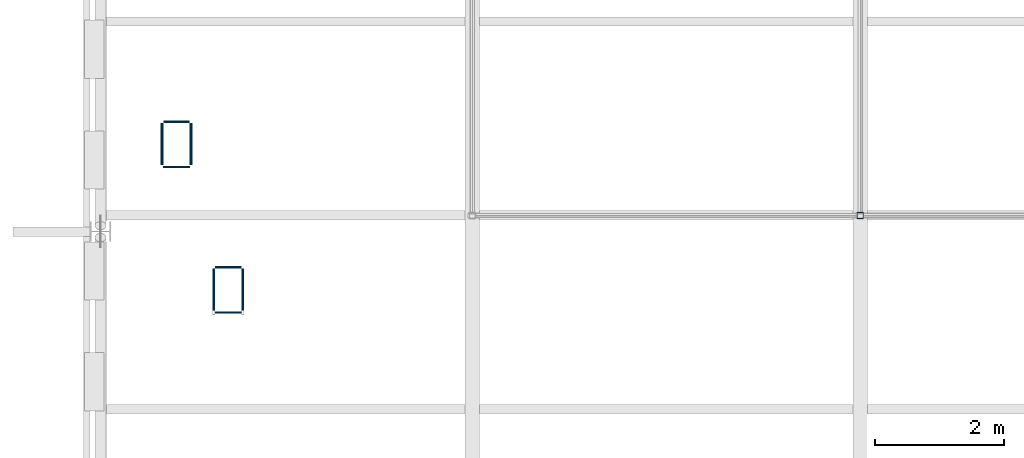
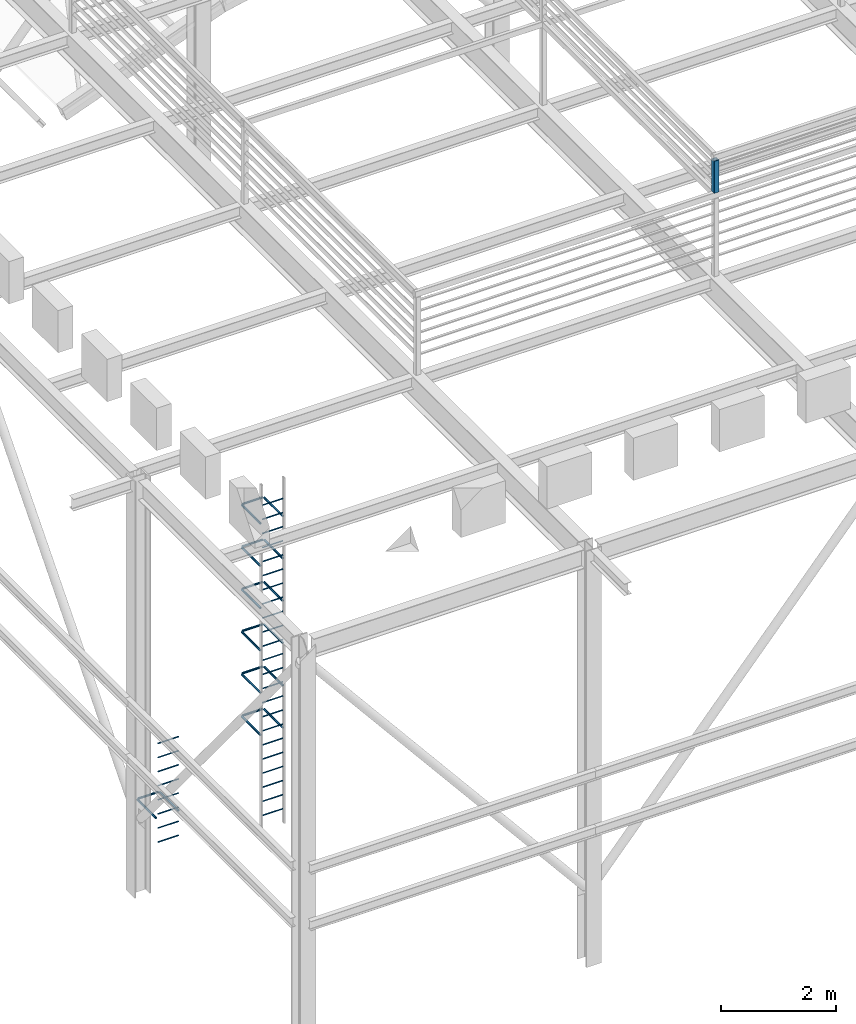
# One storey, part 34 of 57: 53 members.
"""IFC4 building model written with IfcOpenShell, lengths in metres."""

from ifc_helpers import new_model, si_unit, direction, frame, origin, origin_2d, place, context, subcontext, project, spatial, hollow_rectangle, hollow_circle, extrude, material, material_profile, profile_set, type_object, element, save


model = new_model("IFC4")

# Units and contexts
model_context = context("Model", 3, precision=1e-05, world=origin(), true_north=direction((0.0, 1.0)))
body_context = subcontext(model_context, "Body", "Model", "MODEL_VIEW")
ifc_project = project(units=[si_unit("LENGTHUNIT", "METRE"), si_unit("AREAUNIT", "SQUARE_METRE"), si_unit("VOLUMEUNIT", "CUBIC_METRE"), si_unit("PLANEANGLEUNIT", "RADIAN"), si_unit("MASSUNIT", "GRAM", prefix="KILO")], contexts=[model_context])

# Site, building, storey
site_placement = place(None, origin())
site = spatial("IfcSite", under=ifc_project, at=site_placement, CompositionType="ELEMENT")
building_placement = place(site_placement, origin())
building = spatial("IfcBuilding", under=site, at=building_placement, Name="Saffron Lane Theatres", CompositionType="ELEMENT")
storey_placement = place(building_placement, frame((0.0, 0.0, 28.0)))
storey = spatial("IfcBuildingStorey", under=building, at=storey_placement, Name="Upper Roof", CompositionType="ELEMENT", Elevation=28.0)

# Members
ifc_material_1 = material(Name="Steel Grade 350", Category="steel")
ifc_material_profile_1 = material_profile(ifc_material_1, hollow_circle(Radius=0.021240234375, WallThickness=0.002685546875, at=origin_2d()))
ifc_profile_set_1 = profile_set([ifc_material_profile_1], Name="Steel Grade 350")
member_type_1 = type_object("IfcMemberType", Name="ST-LADDER HOOP 42.4x2.6 CHS", PredefinedType="MEMBER", material=ifc_profile_set_1)
for number, where, z_axis, x_axis, name in (
    (1, (19.199951171875, 37.032470703125, 0.60009765625), (0.0, 1.0, 0.0), (-1.0, 0.0, 0.0), "LH5a"),
    (2, (19.64990234375, 37.032470703125, 0.60009765625), (0.0, 1.0, 0.0), (-1.0, 0.0, 0.0), "LH5b"),
):
    element("IfcMember", number, at=place(storey_placement, frame(where, z_axis=z_axis, x_axis=x_axis)), inside=storey, type_object=member_type_1, Name=name, PredefinedType="MEMBER", context=body_context, shape_type="SweptSolid", body=[
        extrude(hollow_circle(Radius=0.021240234375, WallThickness=0.002685546875, at=origin_2d()), origin(), (0.0, 0.0, 1.0), 0.646240234375),
    ])
member_1_placement = place(storey_placement, frame((19.22119140625, 37.699951171875, 0.60009765625), z_axis=(1.0, 0.0, 0.0), x_axis=(0.0, 1.0, 0.0)))
element("IfcMember", 3, at=member_1_placement, inside=storey, type_object=member_type_1, Name="LH5c", PredefinedType="MEMBER", context=body_context, shape_type="SweptSolid", body=[
    extrude(hollow_circle(Radius=0.021240234375, WallThickness=0.002685546875, at=origin_2d()), origin(), (0.0, 0.0, 1.0), 0.40771484375),
])
for number, where, z_axis, x_axis, name in (
    (4, (20.0, 34.782470703125, 3.449951171875), (0.0, 1.0, 0.0), (-1.0, 0.0, 0.0), "LH6a"),
    (5, (20.449951171875, 34.782470703125, 3.449951171875), (0.0, 1.0, 0.0), (-1.0, 0.0, 0.0), "LH6b"),
):
    element("IfcMember", number, at=place(storey_placement, frame(where, z_axis=z_axis, x_axis=x_axis)), inside=storey, type_object=member_type_1, Name=name, PredefinedType="MEMBER", context=body_context, shape_type="SweptSolid", body=[
        extrude(hollow_circle(Radius=0.021240234375, WallThickness=0.002685546875, at=origin_2d()), origin(), (0.0, 0.0, 1.0), 0.646240234375),
    ])
member_2_placement = place(storey_placement, frame((20.021240234375, 35.449951171875, 3.449951171875), z_axis=(1.0, 0.0, 0.0), x_axis=(0.0, 1.0, 0.0)))
element("IfcMember", 6, at=member_2_placement, inside=storey, type_object=member_type_1, Name="LH6c", PredefinedType="MEMBER", context=body_context, shape_type="SweptSolid", body=[
    extrude(hollow_circle(Radius=0.021240234375, WallThickness=0.002685546875, at=origin_2d()), origin(), (0.0, 0.0, 1.0), 0.407470703125),
])
for number, where, z_axis, x_axis, name in (
    (7, (20.0, 34.782470703125, 4.35009765625), (0.0, 1.0, 0.0), (-1.0, 0.0, 0.0), "LH7a"),
    (8, (20.449951171875, 34.782470703125, 4.35009765625), (0.0, 1.0, 0.0), (-1.0, 0.0, 0.0), "LH7b"),
):
    element("IfcMember", number, at=place(storey_placement, frame(where, z_axis=z_axis, x_axis=x_axis)), inside=storey, type_object=member_type_1, Name=name, PredefinedType="MEMBER", context=body_context, shape_type="SweptSolid", body=[
        extrude(hollow_circle(Radius=0.021240234375, WallThickness=0.002685546875, at=origin_2d()), origin(), (0.0, 0.0, 1.0), 0.646240234375),
    ])
member_3_placement = place(storey_placement, frame((20.021240234375, 35.449951171875, 4.35009765625), z_axis=(1.0, 0.0, 0.0), x_axis=(0.0, 1.0, 0.0)))
element("IfcMember", 9, at=member_3_placement, inside=storey, type_object=member_type_1, Name="LH7c", PredefinedType="MEMBER", context=body_context, shape_type="SweptSolid", body=[
    extrude(hollow_circle(Radius=0.021240234375, WallThickness=0.002685546875, at=origin_2d()), origin(), (0.0, 0.0, 1.0), 0.407470703125),
])
for number, where, z_axis, x_axis, name in (
    (10, (20.0, 34.782470703125, 5.25), (0.0, 1.0, 0.0), (-1.0, 0.0, 0.0), "LH8a"),
    (11, (20.449951171875, 34.782470703125, 5.25), (0.0, 1.0, 0.0), (-1.0, 0.0, 0.0), "LH8b"),
):
    element("IfcMember", number, at=place(storey_placement, frame(where, z_axis=z_axis, x_axis=x_axis)), inside=storey, type_object=member_type_1, Name=name, PredefinedType="MEMBER", context=body_context, shape_type="SweptSolid", body=[
        extrude(hollow_circle(Radius=0.021240234375, WallThickness=0.002685546875, at=origin_2d()), origin(), (0.0, 0.0, 1.0), 0.646240234375),
    ])
member_4_placement = place(storey_placement, frame((20.021240234375, 35.449951171875, 5.25), z_axis=(1.0, 0.0, 0.0), x_axis=(0.0, 1.0, 0.0)))
element("IfcMember", 12, at=member_4_placement, inside=storey, type_object=member_type_1, Name="LH8c", PredefinedType="MEMBER", context=body_context, shape_type="SweptSolid", body=[
    extrude(hollow_circle(Radius=0.021240234375, WallThickness=0.002685546875, at=origin_2d()), origin(), (0.0, 0.0, 1.0), 0.407470703125),
])
for number, where, z_axis, x_axis, name in (
    (13, (20.0, 34.782470703125, 6.14990234375), (0.0, 1.0, 0.0), (-1.0, 0.0, 0.0), "LH9a"),
    (14, (20.449951171875, 34.782470703125, 6.14990234375), (0.0, 1.0, 0.0), (-1.0, 0.0, 0.0), "LH9b"),
):
    element("IfcMember", number, at=place(storey_placement, frame(where, z_axis=z_axis, x_axis=x_axis)), inside=storey, type_object=member_type_1, Name=name, PredefinedType="MEMBER", context=body_context, shape_type="SweptSolid", body=[
        extrude(hollow_circle(Radius=0.021240234375, WallThickness=0.002685546875, at=origin_2d()), origin(), (0.0, 0.0, 1.0), 0.646240234375),
    ])
member_5_placement = place(storey_placement, frame((20.021240234375, 35.449951171875, 6.14990234375), z_axis=(1.0, 0.0, 0.0), x_axis=(0.0, 1.0, 0.0)))
element("IfcMember", 15, at=member_5_placement, inside=storey, type_object=member_type_1, Name="LH9c", PredefinedType="MEMBER", context=body_context, shape_type="SweptSolid", body=[
    extrude(hollow_circle(Radius=0.021240234375, WallThickness=0.002685546875, at=origin_2d()), origin(), (0.0, 0.0, 1.0), 0.407470703125),
])
for number, where, z_axis, x_axis, name in (
    (16, (20.0, 34.782470703125, 7.050048828125), (0.0, 1.0, 0.0), (-1.0, 0.0, 0.0), "LH10a"),
    (17, (20.449951171875, 34.782470703125, 7.050048828125), (0.0, 1.0, 0.0), (-1.0, 0.0, 0.0), "LH10b"),
):
    element("IfcMember", number, at=place(storey_placement, frame(where, z_axis=z_axis, x_axis=x_axis)), inside=storey, type_object=member_type_1, Name=name, PredefinedType="MEMBER", context=body_context, shape_type="SweptSolid", body=[
        extrude(hollow_circle(Radius=0.021240234375, WallThickness=0.002685546875, at=origin_2d()), origin(), (0.0, 0.0, 1.0), 0.646240234375),
    ])
member_6_placement = place(storey_placement, frame((20.021240234375, 35.449951171875, 7.050048828125), z_axis=(1.0, 0.0, 0.0), x_axis=(0.0, 1.0, 0.0)))
element("IfcMember", 18, at=member_6_placement, inside=storey, type_object=member_type_1, Name="LH10c", PredefinedType="MEMBER", context=body_context, shape_type="SweptSolid", body=[
    extrude(hollow_circle(Radius=0.021240234375, WallThickness=0.002685546875, at=origin_2d()), origin(), (0.0, 0.0, 1.0), 0.407470703125),
])
for number, where, z_axis, x_axis, name in (
    (19, (20.0, 34.782470703125, 7.949951171875), (0.0, 1.0, 0.0), (-1.0, 0.0, 0.0), "LH11a"),
    (20, (20.449951171875, 34.782470703125, 7.949951171875), (0.0, 1.0, 0.0), (-1.0, 0.0, 0.0), "LH11b"),
):
    element("IfcMember", number, at=place(storey_placement, frame(where, z_axis=z_axis, x_axis=x_axis)), inside=storey, type_object=member_type_1, Name=name, PredefinedType="MEMBER", context=body_context, shape_type="SweptSolid", body=[
        extrude(hollow_circle(Radius=0.021240234375, WallThickness=0.002685546875, at=origin_2d()), origin(), (0.0, 0.0, 1.0), 0.646240234375),
    ])
member_7_placement = place(storey_placement, frame((20.021240234375, 35.449951171875, 7.949951171875), z_axis=(1.0, 0.0, 0.0), x_axis=(0.0, 1.0, 0.0)))
element("IfcMember", 21, at=member_7_placement, inside=storey, type_object=member_type_1, Name="LH11c", PredefinedType="MEMBER", context=body_context, shape_type="SweptSolid", body=[
    extrude(hollow_circle(Radius=0.021240234375, WallThickness=0.002685546875, at=origin_2d()), origin(), (0.0, 0.0, 1.0), 0.407470703125),
])
ifc_material_2 = material(Name="Steel Grade 350", Category="steel")
ifc_material_profile_2 = material_profile(ifc_material_2, hollow_circle(Radius=0.013427734375, WallThickness=0.002685546875, at=origin_2d()))
ifc_profile_set_2 = profile_set([ifc_material_profile_2], Name="Steel Grade 350")
member_type_2 = type_object("IfcMemberType", Name="ST-LADDER RUNG 26.9x2.6 CHS", PredefinedType="STRUT", material=ifc_profile_set_2)
for number, where, z_axis, x_axis, name in (
    (22, (19.217529296875, 37.0, 0.10009765625), (1.0, 0.0, 0.0), (0.0, 1.0, 0.0), "LR17"),
    (23, (19.217529296875, 37.0, 0.39990234375), (1.0, 0.0, 0.0), (0.0, 1.0, 0.0), "LR18"),
    (24, (19.217529296875, 37.0, 0.699951171875), (1.0, 0.0, 0.0), (0.0, 1.0, 0.0), "LR19"),
    (25, (19.217529296875, 37.0, 1.0), (1.0, 0.0, 0.0), (0.0, 1.0, 0.0), "LR20"),
    (26, (19.217529296875, 37.0, 1.300048828125), (1.0, 0.0, 0.0), (0.0, 1.0, 0.0), "LR21"),
    (27, (19.217529296875, 37.0, 1.60009765625), (1.0, 0.0, 0.0), (0.0, 1.0, 0.0), "LR22"),
    (28, (19.217529296875, 37.0, 1.89990234375), (1.0, 0.0, 0.0), (0.0, 1.0, 0.0), "LR23"),
    (29, (19.217529296875, 37.0, 2.199951171875), (1.0, 0.0, 0.0), (0.0, 1.0, 0.0), "LR24"),
    (30, (20.017578125, 34.75, 1.75), (1.0, 0.0, 0.0), (0.0, 1.0, 0.0), "LR25"),
    (31, (20.017578125, 34.75, 2.050048828125), (1.0, 0.0, 0.0), (0.0, 1.0, 0.0), "LR26"),
    (32, (20.017578125, 34.75, 2.35009765625), (1.0, 0.0, 0.0), (0.0, 1.0, 0.0), "LR27"),
    (33, (20.017578125, 34.75, 2.64990234375), (1.0, 0.0, 0.0), (0.0, 1.0, 0.0), "LR28"),
    (34, (20.017578125, 34.75, 2.949951171875), (1.0, 0.0, 0.0), (0.0, 1.0, 0.0), "LR29"),
    (35, (20.017578125, 34.75, 3.25), (1.0, 0.0, 0.0), (0.0, 1.0, 0.0), "LR30"),
    (36, (20.017578125, 34.75, 3.550048828125), (1.0, 0.0, 0.0), (0.0, 1.0, 0.0), "LR31"),
    (37, (20.017578125, 34.75, 3.85009765625), (1.0, 0.0, 0.0), (0.0, 1.0, 0.0), "LR32"),
    (38, (20.017578125, 34.75, 4.14990234375), (1.0, 0.0, 0.0), (0.0, 1.0, 0.0), "LR33"),
    (39, (20.017578125, 34.75, 4.449951171875), (1.0, 0.0, 0.0), (0.0, 1.0, 0.0), "LR34"),
    (40, (20.017578125, 34.75, 4.75), (1.0, 0.0, 0.0), (0.0, 1.0, 0.0), "LR35"),
    (41, (20.017578125, 34.75, 5.050048828125), (1.0, 0.0, 0.0), (0.0, 1.0, 0.0), "LR36"),
    (42, (20.017578125, 34.75, 5.35009765625), (1.0, 0.0, 0.0), (0.0, 1.0, 0.0), "LR37"),
    (43, (20.017578125, 34.75, 5.64990234375), (1.0, 0.0, 0.0), (0.0, 1.0, 0.0), "LR38"),
    (44, (20.017578125, 34.75, 5.949951171875), (1.0, 0.0, 0.0), (0.0, 1.0, 0.0), "LR39"),
    (45, (20.017578125, 34.75, 6.25), (1.0, 0.0, 0.0), (0.0, 1.0, 0.0), "LR40"),
    (46, (20.017578125, 34.75, 6.550048828125), (1.0, 0.0, 0.0), (0.0, 1.0, 0.0), "LR41"),
    (47, (20.017578125, 34.75, 6.85009765625), (1.0, 0.0, 0.0), (0.0, 1.0, 0.0), "LR42"),
    (48, (20.017578125, 34.75, 7.14990234375), (1.0, 0.0, 0.0), (0.0, 1.0, 0.0), "LR43"),
    (49, (20.017578125, 34.75, 7.449951171875), (1.0, 0.0, 0.0), (0.0, 1.0, 0.0), "LR44"),
    (50, (20.017578125, 34.75, 7.75), (1.0, 0.0, 0.0), (0.0, 1.0, 0.0), "LR45"),
    (51, (20.017578125, 34.75, 8.050048828125), (1.0, 0.0, 0.0), (0.0, 1.0, 0.0), "LR46"),
    (52, (20.017578125, 34.75, 8.35009765625), (1.0, 0.0, 0.0), (0.0, 1.0, 0.0), "LR47"),
):
    element("IfcMember", number, at=place(storey_placement, frame(where, z_axis=z_axis, x_axis=x_axis)), inside=storey, type_object=member_type_2, Name=name, PredefinedType="STRUT", context=body_context, shape_type="SweptSolid", body=[
        extrude(hollow_circle(Radius=0.013427734375, WallThickness=0.002685546875, at=origin_2d()), origin(), (0.0, 0.0, 1.0), 0.4150390625),
    ])
ifc_material_3 = material(Name="Steel Grade 350", Category="steel")
ifc_material_profile_3 = material_profile(ifc_material_3, hollow_rectangle(XDim=0.10009765625, YDim=0.10009765625, WallThickness=0.006103515625, InnerFilletRadius=0.0029296875, OuterFilletRadius=0.009033203125, at=origin_2d()))
ifc_profile_set_3 = profile_set([ifc_material_profile_3], Name="Steel Grade 350")
member_type_3 = type_object("IfcMemberType", Name="ST-LANTERN POST 100x100x6 SHS", PredefinedType="POST", material=ifc_profile_set_3)
member_8_placement = place(storey_placement, frame((30.0, 36.25, 10.625), z_axis=(0.0, 0.0, 1.0), x_axis=(1.0, 0.0, 0.0)))
element("IfcMember", 53, at=member_8_placement, inside=storey, type_object=member_type_3, Name="LP13", PredefinedType="POST", context=body_context, shape_type="SweptSolid", body=[
    extrude(hollow_rectangle(XDim=0.10009765625, YDim=0.10009765625, WallThickness=0.006103515625, InnerFilletRadius=0.0029296875, OuterFilletRadius=0.009033203125, at=origin_2d()), origin(), (0.0, 0.0, 1.0), 0.679931640625),
])

save(model, "model.ifc")
